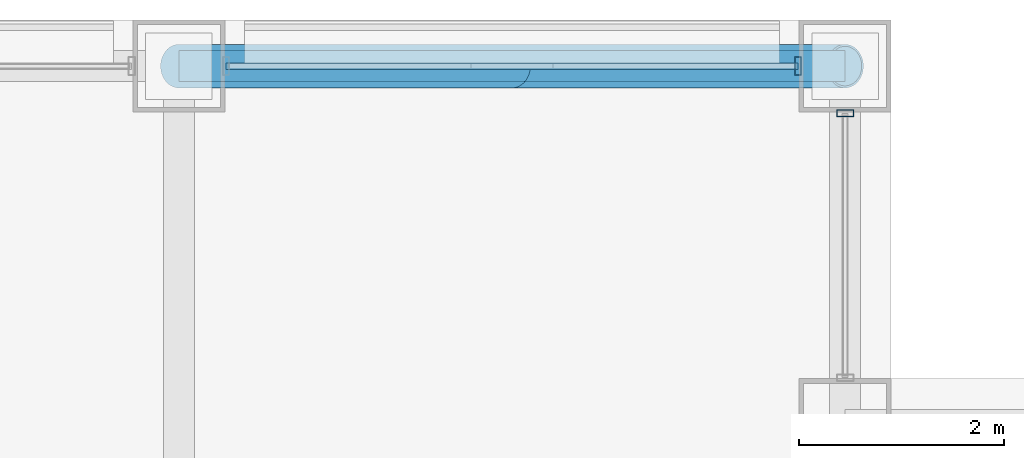
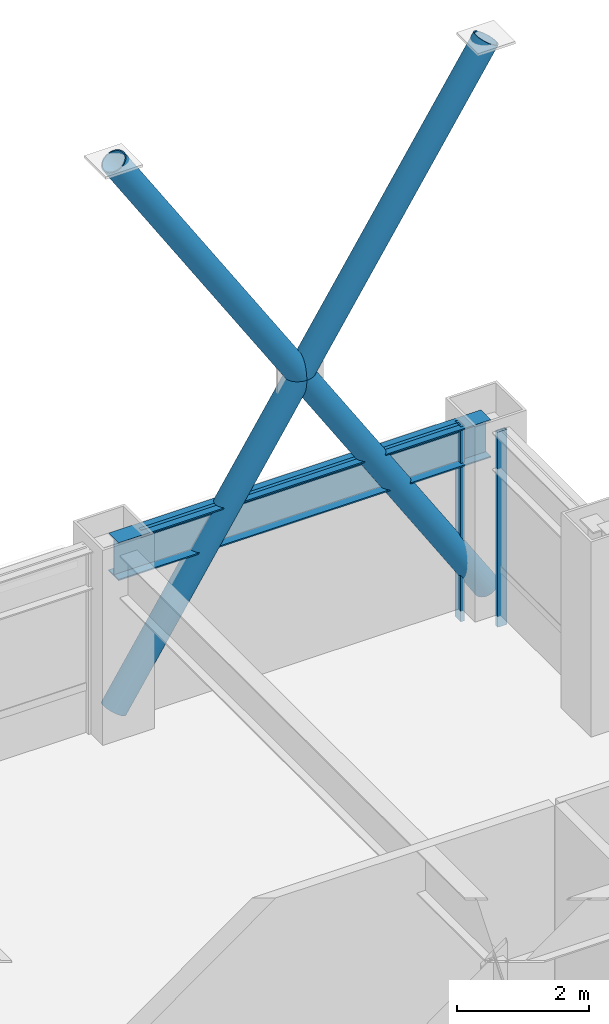
# One storey, part 21 of 30: 6 members, 1 beam, 2 elements without a shape of their own.
"""IFC4 building model written with IfcOpenShell, lengths in metres."""

from ifc_helpers import new_model, si_unit, direction, frame, origin, origin_2d, place, context, subcontext, project, spatial, hollow_rectangle, hollow_circle, i_section, extrude, material, layer, layer_set, material_profile, profile_set, type_object, element, aggregate, save


model = new_model("IFC4")

# Units and contexts
model_context = context("Model", 3, precision=1e-05, world=origin(), true_north=direction((0.0, 1.0)))
body_context = subcontext(model_context, "Body", "Model", "MODEL_VIEW")
ifc_project = project(units=[si_unit("LENGTHUNIT", "METRE"), si_unit("AREAUNIT", "SQUARE_METRE"), si_unit("VOLUMEUNIT", "CUBIC_METRE"), si_unit("PLANEANGLEUNIT", "RADIAN"), si_unit("MASSUNIT", "GRAM", prefix="KILO")], contexts=[model_context])

# Site, building, storey
site_placement = place(None, origin())
site = spatial("IfcSite", under=ifc_project, at=site_placement, CompositionType="ELEMENT")
building_placement = place(site_placement, origin())
building = spatial("IfcBuilding", under=site, at=building_placement, Name="Brelmoor Portico Tower", CompositionType="ELEMENT")
storey_placement = place(building_placement, frame((0.0, 0.0, 56.39990234375)))
storey = spatial("IfcBuildingStorey", under=building, at=storey_placement, Name="L14", CompositionType="ELEMENT", Elevation=56.39990234375)

# Beam
ifc_material_1 = material(Name="Steel Q355B", Category="steel")
ifc_material_profile_1 = material_profile(ifc_material_1, i_section(OverallWidth=0.300048828125, OverallDepth=0.699951171875, WebThickness=0.012939453125, FlangeThickness=0.02392578125, at=origin_2d()), Name="HN 700x300x13x24")
ifc_profile_set_1 = profile_set([ifc_material_profile_1], Name="Steel Q355B")
beam_type = type_object("IfcBeamType", Name="BM-SP-700", PredefinedType="SPANDREL", material=ifc_profile_set_1)
beam_placement = place(storey_placement, frame((14.550048828125, 21.550048828125, 3.050048828125), z_axis=(1.0, 0.0, 0.0), x_axis=(0.0, 1.0, 0.0)))
element("IfcBeam", 1, at=beam_placement, inside=storey, type_object=beam_type, Name="L14 Perimeter Spandrel Beam SP-14", PredefinedType="SPANDREL", context=body_context, shape_type="SweptSolid", body=[
    extrude(i_section(OverallWidth=0.300048828125, OverallDepth=0.699951171875, WebThickness=0.012939453125, FlangeThickness=0.02392578125, at=origin_2d()), origin(), (0.0, 0.0, 1.0), 6.5),
])

# Members
ifc_material_profile_2 = material_profile(ifc_material_1, hollow_circle(Radius=0.212890625, WallThickness=0.02001953125, at=origin_2d()), Name="CHS 426x20")
ifc_profile_set_2 = profile_set([ifc_material_profile_2], Name="Steel Q355B")
member_type_1 = type_object("IfcMemberType", Name="MB-BELT-DIAG1", PredefinedType="BRACE", material=ifc_profile_set_2)
member_1_placement = place(storey_placement, frame((14.550048828125, 21.550048828125, 0.25), z_axis=(0.541174623135, 0.0, 0.840910237347), x_axis=(0.0, 1.0, 0.0)))
element("IfcMember", 2, at=member_1_placement, inside=storey, type_object=member_type_1, Name="L14 Continuous Mega-X Brace 029A", PredefinedType="BRACE", context=body_context, shape_type="SweptSolid", body=[
    extrude(hollow_circle(Radius=0.212890625, WallThickness=0.02001953125, at=origin_2d()), origin(), (0.0, 0.0, 1.0), 12.010986328125),
])
for number, where, z_axis, x_axis, name in (
    (3, (21.050048828125, 21.550048828125, 0.25), (-0.541174623135, 0.0, 0.840910237347), (0.0, -1.0, 0.0), "L14 Split Mega-X Brace 029B1"),
    (4, (17.800048828125, 21.550048828125, 5.300048828125), (-0.541174623135, 0.0, 0.840910237347), (0.0, -1.0, 0.0), "L14 Split Mega-X Brace 029B2"),
):
    element("IfcMember", number, at=place(storey_placement, frame(where, z_axis=z_axis, x_axis=x_axis)), inside=storey, type_object=member_type_1, Name=name, PredefinedType="BRACE", context=body_context, shape_type="SweptSolid", body=[
        extrude(hollow_circle(Radius=0.212890625, WallThickness=0.02001953125, at=origin_2d()), origin(), (0.0, 0.0, 1.0), 6.00537109375),
    ])

# Curtain wall, member
ifc_material_2 = material(Name="Anodised Aluminium Alloy 6063-T6", Category="aluminium")
ifc_layer_1 = layer(ifc_material_2, 0.179931640625)
ifc_layer_set_1 = layer_set([ifc_layer_1], Name="Anodised Aluminium Alloy 6063-T6")
curtain_wall_type_1 = type_object("IfcCurtainWallType", Name="CW-NOTCH-CHAMFER", PredefinedType="NOTDEFINED", material=ifc_layer_set_1)
curtain_wall_1_placement = place(storey_placement, origin())
curtain_wall_1 = element("IfcCurtainWall", 5, at=curtain_wall_1_placement, inside=storey, type_object=curtain_wall_type_1, Name="L14 Curtain Wall CWN-L14-NEV", PredefinedType="NOTDEFINED")
ifc_material_profile_3 = material_profile(ifc_material_2, hollow_rectangle(XDim=0.06494140625, YDim=0.1650390625, WallThickness=0.00390625, at=origin_2d()), Name="ALU MULLION 65x165")
ifc_profile_set_3 = profile_set([ifc_material_profile_3], Name="Anodised Aluminium Alloy 6063-T6")
member_type_2 = type_object("IfcMemberType", Name="MB-CW-MULL-165", PredefinedType="MULLION", material=ifc_profile_set_3)
member_2_placement = place(storey_placement, frame((21.050048828125, 21.090087890625, -0.199951171875), z_axis=(0.0, 0.0, 1.0), x_axis=(0.0, 1.0, 0.0)))
member_2 = element("IfcMember", 6, at=member_2_placement, type_object=member_type_2, Name="CWN-L14-NEV Mullion 01", PredefinedType="MULLION", context=body_context, shape_type="SweptSolid", body=[
    extrude(hollow_rectangle(XDim=0.06494140625, YDim=0.1650390625, WallThickness=0.00390625, at=origin_2d()), origin(), (0.0, 0.0, 1.0), 3.60009765625),
])
aggregate(curtain_wall_1, [member_2])

# Curtain wall, members
ifc_layer_2 = layer(ifc_material_2, 0.179931640625)
ifc_layer_set_2 = layer_set([ifc_layer_2], Name="Anodised Aluminium Alloy 6063-T6")
curtain_wall_type_2 = type_object("IfcCurtainWallType", Name="CW-TOWER-Z1-XB", PredefinedType="NOTDEFINED", material=ifc_layer_set_2)
curtain_wall_2_placement = place(storey_placement, origin())
curtain_wall_2 = element("IfcCurtainWall", 7, at=curtain_wall_2_placement, inside=storey, type_object=curtain_wall_type_2, Name="L14 Curtain Wall CW-L14-02-5", PredefinedType="NOTDEFINED")
ifc_material_profile_4 = material_profile(ifc_material_2, hollow_rectangle(XDim=0.06494140625, YDim=0.179931640625, WallThickness=0.00390625, at=origin_2d()), Name="ALU MULLION 65x180")
ifc_profile_set_4 = profile_set([ifc_material_profile_4], Name="Anodised Aluminium Alloy 6063-T6")
member_type_3 = type_object("IfcMemberType", Name="MB-CW-MULL-180", PredefinedType="MULLION", material=ifc_profile_set_4)
member_3_placement = place(storey_placement, frame((20.590087890625, 21.550048828125, -0.199951171875), z_axis=(0.0, 0.0, 1.0), x_axis=(1.0, 0.0, 0.0)))
member_3 = element("IfcMember", 8, at=member_3_placement, type_object=member_type_3, Name="CW-L14-02-5 Mullion 01", PredefinedType="MULLION", context=body_context, shape_type="SweptSolid", body=[
    extrude(hollow_rectangle(XDim=0.06494140625, YDim=0.179931640625, WallThickness=0.00390625, at=origin_2d()), origin(), (0.0, 0.0, 1.0), 3.60009765625),
])
ifc_material_profile_5 = material_profile(ifc_material_2, hollow_rectangle(XDim=0.06494140625, YDim=0.139892578125, WallThickness=0.00390625, at=origin_2d()), Name="ALU TRANSOM 65x140")
ifc_profile_set_5 = profile_set([ifc_material_profile_5], Name="Anodised Aluminium Alloy 6063-T6")
member_type_4 = type_object("IfcMemberType", Name="MB-CW-TRAN-140", PredefinedType="USERDEFINED", material=ifc_profile_set_5)
member_4_placement = place(storey_placement, frame((15.010009765625, 21.550048828125, 3.330078125), z_axis=(1.0, 0.0, 0.0), x_axis=(0.0, 1.0, 0.0)))
member_4 = element("IfcMember", 9, at=member_4_placement, type_object=member_type_4, Name="CW-L14-02-5 Transom 1-00", ObjectType="TRANSOM", PredefinedType="USERDEFINED", context=body_context, shape_type="SweptSolid", body=[
    extrude(hollow_rectangle(XDim=0.06494140625, YDim=0.139892578125, WallThickness=0.00390625, at=origin_2d()), origin(), (0.0, 0.0, 1.0), 5.580078125),
])
aggregate(curtain_wall_2, [member_3, member_4])

save(model, "model.ifc")
